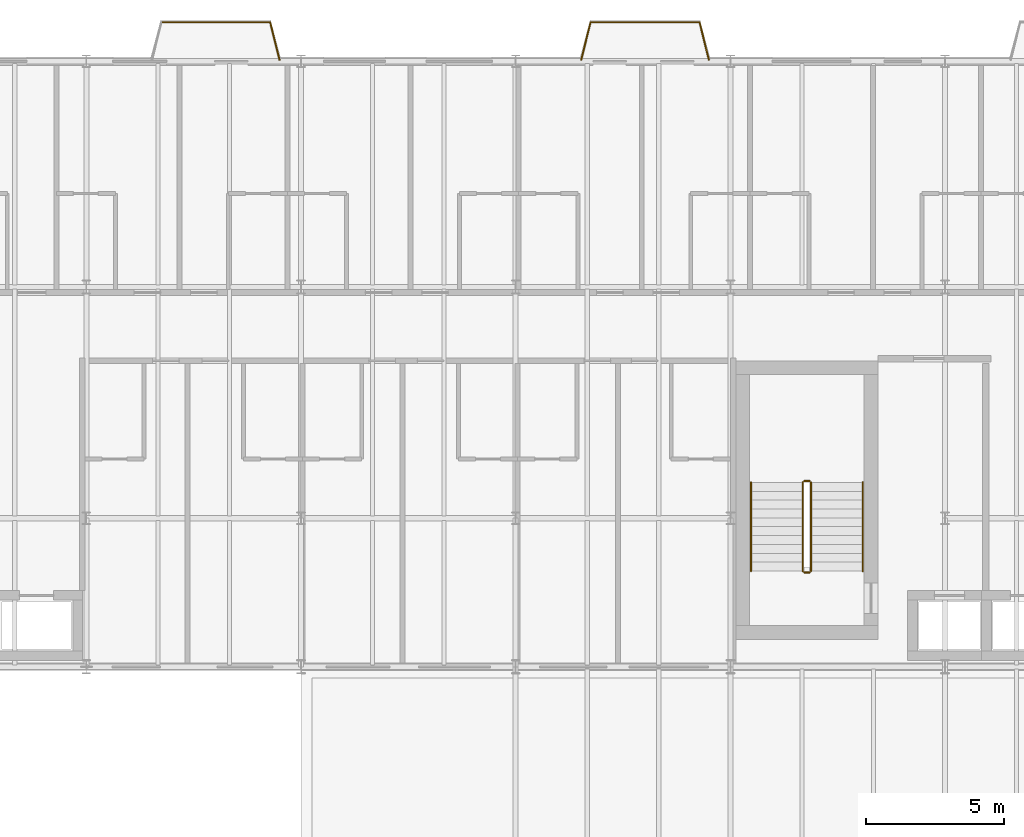
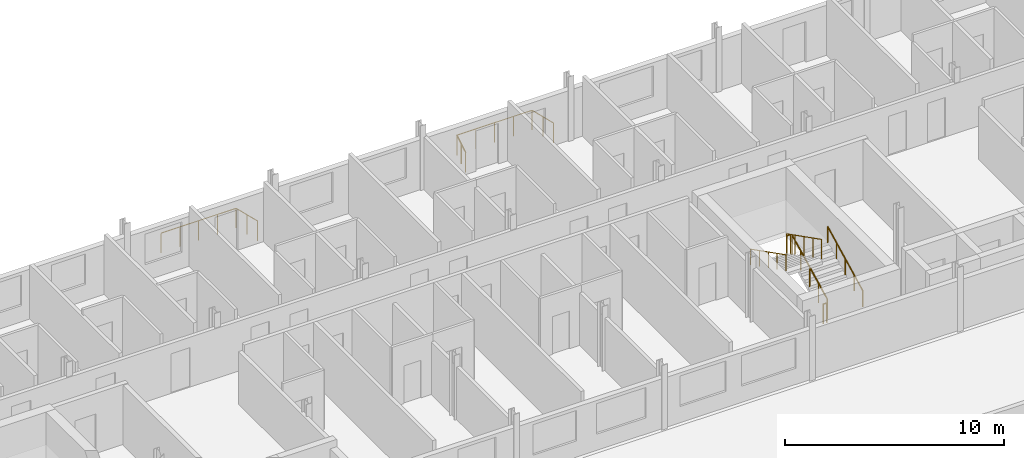
# One storey, part 35 of 36: 11 railings.
"""IFC4 building model written with IfcOpenShell, lengths in metres."""

import ifcopenshell
import ifcopenshell.guid

model = None  # the IFC model being written
_history = None  # IfcOwnerHistory: only IFC2X3 demands one
_inside = {}  # id of a spatial element -> (the spatial element, [elements in it])
_under = {}  # id of a project, library or spatial element -> (it, [spatial elements below it])
_declared = {}  # id of a project -> (the project, [libraries it declares])
_typed = {}  # id of a type object -> (the type object, [elements of that type])
_made_of = {}  # id of a material, layer set ... -> (it, [elements and type objects made of it])


def new_model(schema):
    """Start an empty IFC model of exactly this schema.

    Asked for "IFC4X3", IfcOpenShell would pick the latest addendum, in which some entities
    have other attributes; the version numbers below select the first issue.
    IFC2X3 requires an IfcOwnerHistory on every rooted entity: one is made here for all.
    """
    global model, _history
    if schema == "IFC4X3":
        model = ifcopenshell.file(schema_version=(4, 3, 0, 0))
    else:
        model = ifcopenshell.file(schema=schema)
    _inside.clear()
    _under.clear()
    _declared.clear()
    _typed.clear()
    _made_of.clear()
    _history = None
    if model.schema == "IFC2X3":
        org = make("IfcOrganization", Name="unknown")
        user = make(
            "IfcPersonAndOrganization",
            ThePerson=make("IfcPerson", FamilyName="unknown"),
            TheOrganization=org,
        )
        app = make(
            "IfcApplication",
            ApplicationDeveloper=org,
            Version="unknown",
            ApplicationFullName="unknown",
            ApplicationIdentifier="unknown",
        )
        _history = make(
            "IfcOwnerHistory",
            OwningUser=user,
            OwningApplication=app,
            ChangeAction="ADDED",
            CreationDate=0,
        )
    return model


def make(cls, **values):
    """One entity of the class cls with the attributes given. An attribute that is None is left unset."""
    return model.create_entity(
        cls, **{name: value for name, value in values.items() if value is not None}
    )


def rooted(cls, **values):
    """An entity with a GlobalId (a new one), such as an element, a storey or a relation."""
    return make(cls, GlobalId=ifcopenshell.guid.new(), OwnerHistory=_history, **values)


def si_unit(unit_type, name, prefix=None):
    """IfcSIUnit, for example si_unit("LENGTHUNIT", "METRE", prefix="MILLI")."""
    return make("IfcSIUnit", UnitType=unit_type, Prefix=prefix, Name=name)


def assignment(units):
    """IfcUnitAssignment: the units of a project."""
    return None if units is None else make("IfcUnitAssignment", Units=units)


def point(xyz):
    """IfcCartesianPoint."""
    return None if xyz is None else make("IfcCartesianPoint", Coordinates=xyz)


def direction(xyz):
    """IfcDirection."""
    return None if xyz is None else make("IfcDirection", DirectionRatios=xyz)


def frame(location, z_axis=None, x_axis=None):
    """IfcAxis2Placement3D, a coordinate frame: its origin and axes. An axis left out is left unset."""
    return make(
        "IfcAxis2Placement3D",
        Location=point(location),
        Axis=direction(z_axis),
        RefDirection=direction(x_axis),
    )


def frame_2d(location, x_axis=None):
    """IfcAxis2Placement2D, a coordinate frame in the plane: its origin and x axis."""
    return make(
        "IfcAxis2Placement2D", Location=point(location), RefDirection=direction(x_axis)
    )


def origin():
    """The frame at (0, 0, 0) with its axes left unset."""
    return frame((0.0, 0.0, 0.0))


def origin_2d():
    """The frame at (0, 0) in the plane with its x axis left unset."""
    return frame_2d((0.0, 0.0))


def place(relative_to, where):
    """IfcLocalPlacement: puts the frame where relative to a parent placement (None: the world)."""
    return make(
        "IfcLocalPlacement", PlacementRelTo=relative_to, RelativePlacement=where
    )


def context(
    kind, dimensions, precision=None, world=None, true_north=None, identifier=None
):
    """IfcGeometricRepresentationContext, for example the 3D "Model" context."""
    return make(
        "IfcGeometricRepresentationContext",
        ContextIdentifier=identifier,
        ContextType=kind,
        CoordinateSpaceDimension=dimensions,
        Precision=precision,
        WorldCoordinateSystem=world,
        TrueNorth=true_north,
    )


def subcontext(parent, identifier, kind, view, scale=None):
    """IfcGeometricRepresentationSubContext, for example "Body" below "Model"."""
    return make(
        "IfcGeometricRepresentationSubContext",
        ContextIdentifier=identifier,
        ContextType=kind,
        ParentContext=parent,
        TargetScale=scale,
        TargetView=view,
    )


def project(units=None, contexts=None):
    """IfcProject with its units and contexts."""
    return rooted(
        "IfcProject",
        Name="project",
        RepresentationContexts=contexts,
        UnitsInContext=assignment(units),
    )


def spatial(cls, under=None, at=None, **own):
    """A site, building, storey or space (cls), placed at a placement, below another one or the project."""
    s = rooted(cls, ObjectPlacement=at, **own)
    if under is not None:
        _under.setdefault(under.id(), (under, []))[1].append(s)
    return s


def profile(cls, at=None, kind="AREA", **sizes):
    """A parametric profile (cls). Its sizes go by their IFC names, for example OverallWidth=200.0."""
    return make(cls, ProfileType=kind, Position=at, **sizes)


def circle(**sizes):
    """IfcCircleProfileDef."""
    return profile("IfcCircleProfileDef", **sizes)


def extrude(swept, where, along, depth):
    """IfcExtrudedAreaSolid: the profile swept, set in the frame where, extruded along a direction by depth."""
    return make(
        "IfcExtrudedAreaSolid",
        SweptArea=swept,
        Position=where,
        ExtrudedDirection=direction(along),
        Depth=depth,
    )


def shape(context_of_items, identifier, shape_type, items):
    """IfcShapeRepresentation: the items that make up one representation, for example the "Body"."""
    return make(
        "IfcShapeRepresentation",
        ContextOfItems=context_of_items,
        RepresentationIdentifier=identifier,
        RepresentationType=shape_type,
        Items=items,
    )


def material(Name=None, Category=None):
    """IfcMaterial."""
    return make("IfcMaterial", Name=Name, Category=Category)


def made_of(thing, what):
    """Note that an element or type object is made of a material, layer set ...; save() writes the relation."""
    if what is not None:
        _made_of.setdefault(what.id(), (what, []))[1].append(thing)
    return thing


def type_object(cls, material=None, **own):
    """A type object (cls), such as IfcWallType, which elements share."""
    return made_of(rooted(cls, **own), material)


def element(
    cls,
    number,
    at=None,
    inside=None,
    cuts=None,
    type_object=None,
    material=None,
    context=None,
    identifier="Body",
    shape_type=None,
    held_by="IfcProductDefinitionShape",
    body=None,
    shapes=None,
    **own,
):
    """One element of the class cls, such as IfcWall. Its Tag is "e" and its number.

    at: its placement. inside: the storey or other place that contains it. cuts: it is an
    opening in that element (IfcRelVoidsElement). A single representation is given by context,
    identifier, shape_type and body (its items); several are given by shapes. held_by: the class
    of the entity that holds the representations. save() writes the other relations.
    """
    e = rooted(cls, Tag="e%d" % number, ObjectPlacement=at, **own)
    if body is not None:
        shapes = [shape(context, identifier, shape_type, body)]
    if shapes is not None:
        e.Representation = make(held_by, Representations=shapes)
    if inside is not None:
        _inside.setdefault(inside.id(), (inside, []))[1].append(e)
    if cuts is not None:
        rooted(
            "IfcRelVoidsElement", RelatingBuildingElement=cuts, RelatedOpeningElement=e
        )
    if type_object is not None:
        _typed.setdefault(type_object.id(), (type_object, []))[1].append(e)
    return made_of(e, material)


def aggregate(whole, parts):
    """IfcRelAggregates: a whole, such as a stair, and the parts it consists of."""
    return rooted("IfcRelAggregates", RelatingObject=whole, RelatedObjects=parts)


def save(model, path):
    """Write the relations noted so far, then the file.

    IfcRelAggregates (storeys below a building ...), IfcRelContainedInSpatialStructure (elements
    in a storey), IfcRelDefinesByType, IfcRelAssociatesMaterial and IfcRelDeclares: one each for
    every whole, place, type object, material and project.
    """
    for whole, parts in _under.values():
        aggregate(whole, parts)
    for where, things in _inside.values():
        rooted(
            "IfcRelContainedInSpatialStructure",
            RelatedElements=things,
            RelatingStructure=where,
        )
    for kind, things in _typed.values():
        rooted("IfcRelDefinesByType", RelatedObjects=things, RelatingType=kind)
    for what, things in _made_of.values():
        rooted("IfcRelAssociatesMaterial", RelatedObjects=things, RelatingMaterial=what)
    for by, libraries in _declared.values():
        rooted("IfcRelDeclares", RelatingContext=by, RelatedDefinitions=libraries)
    model.write(path)


model = new_model("IFC4")

# Units and contexts
model_context = context("Model", 3, precision=1e-05, world=origin(), true_north=direction((0.0, 1.0)))
body_context = subcontext(model_context, "Body", "Model", "MODEL_VIEW")
ifc_project = project(units=[si_unit("LENGTHUNIT", "METRE"), si_unit("AREAUNIT", "SQUARE_METRE"), si_unit("VOLUMEUNIT", "CUBIC_METRE"), si_unit("PLANEANGLEUNIT", "RADIAN"), si_unit("MASSUNIT", "GRAM", prefix="KILO")], contexts=[model_context])

# Site, building, storey
site_placement = place(None, origin())
site = spatial("IfcSite", under=ifc_project, at=site_placement, CompositionType="ELEMENT")
building_placement = place(site_placement, origin())
building = spatial("IfcBuilding", under=site, at=building_placement, Name="Sefraquen Railside Congress Hotel", CompositionType="ELEMENT")
storey_placement = place(building_placement, frame((0.0, 0.0, 24.60009765625)))
storey = spatial("IfcBuildingStorey", under=building, at=storey_placement, Name="L05", CompositionType="ELEMENT", Elevation=24.60009765625)

# Railings
ifc_material = material(Name="Patinated wrought architectural bronze", Category="metal")
railing_type_1 = type_object("IfcRailingType", Name="TRL-BAL-110", PredefinedType="BALUSTRADE", material=ifc_material)
railing_1_placement = place(storey_placement, frame((43.52001953125, 119.419921875, 0.0)))
element("IfcRailing", 1, at=railing_1_placement, inside=storey, type_object=railing_type_1, Name="Guest balcony Art Nouveau balustrade L05-02", PredefinedType="BALUSTRADE", context=body_context, shape_type="SweptSolid", body=[
    extrude(circle(Radius=0.02392578125, at=origin_2d()), frame((0.0, 0.0, 1.09619140625), z_axis=(1.0, 0.0, 0.0), x_axis=(0.0, 1.0, 0.0)), (0.0, 0.0, 1.0), 3.9599609375),
    extrude(circle(Radius=0.02099609375, at=origin_2d()), origin(), (0.0, 0.0, 1.0), 1.072021484375),
    extrude(circle(Radius=0.02099609375, at=origin_2d()), frame((0.989990234375, 0.0, 0.0)), (0.0, 0.0, 1.0), 1.072021484375),
    extrude(circle(Radius=0.02099609375, at=origin_2d()), frame((1.97998046875, 0.0, 0.0)), (0.0, 0.0, 1.0), 1.072021484375),
    extrude(circle(Radius=0.02099609375, at=origin_2d()), frame((2.969970703125, 0.0, 0.0)), (0.0, 0.0, 1.0), 1.072021484375),
    extrude(circle(Radius=0.02099609375, at=origin_2d()), frame((3.9599609375, 0.0, 0.0)), (0.0, 0.0, 1.0), 1.072021484375),
])
railing_2_placement = place(storey_placement, frame((47.47998046875, 119.419921875, 0.0)))
element("IfcRailing", 2, at=railing_2_placement, inside=storey, type_object=railing_type_1, Name="Guest balcony Art Nouveau balustrade L05-02", PredefinedType="BALUSTRADE", context=body_context, shape_type="SweptSolid", body=[
    extrude(circle(Radius=0.02392578125, at=origin_2d()), frame((0.0, 0.0, 1.09619140625), z_axis=(0.240948040829, -0.970538016577, 0.0), x_axis=(0.970538016577, 0.240948040829, 0.0)), (0.0, 0.0, 1.0), 1.411376953125),
    extrude(circle(Radius=0.02099609375, at=origin_2d()), origin(), (0.0, 0.0, 1.0), 1.072021484375),
    extrude(circle(Radius=0.02099609375, at=origin_2d()), frame((0.169921875, -0.68505859375, 0.0)), (0.0, 0.0, 1.0), 1.072021484375),
    extrude(circle(Radius=0.02099609375, at=origin_2d()), frame((0.340087890625, -1.369873046875, 0.0)), (0.0, 0.0, 1.0), 1.072021484375),
])
railing_3_placement = place(storey_placement, frame((58.780029296875, 118.050048828125, 0.0)))
element("IfcRailing", 3, at=railing_3_placement, inside=storey, type_object=railing_type_1, Name="Guest balcony Art Nouveau balustrade L05-03", PredefinedType="BALUSTRADE", context=body_context, shape_type="SweptSolid", body=[
    extrude(circle(Radius=0.02392578125, at=origin_2d()), frame((0.0, 0.0, 1.09619140625), z_axis=(0.240948040829, 0.970538016577, 0.0), x_axis=(-0.970538016577, 0.240948040829, 0.0)), (0.0, 0.0, 1.0), 1.411376953125),
    extrude(circle(Radius=0.02099609375, at=origin_2d()), origin(), (0.0, 0.0, 1.0), 1.072021484375),
    extrude(circle(Radius=0.02099609375, at=origin_2d()), frame((0.169921875, 0.68505859375, 0.0)), (0.0, 0.0, 1.0), 1.072021484375),
    extrude(circle(Radius=0.02099609375, at=origin_2d()), frame((0.340087890625, 1.369873046875, 0.0)), (0.0, 0.0, 1.0), 1.072021484375),
])
railing_4_placement = place(storey_placement, frame((59.1201171875, 119.419921875, 0.0)))
element("IfcRailing", 4, at=railing_4_placement, inside=storey, type_object=railing_type_1, Name="Guest balcony Art Nouveau balustrade L05-03", PredefinedType="BALUSTRADE", context=body_context, shape_type="SweptSolid", body=[
    extrude(circle(Radius=0.02392578125, at=origin_2d()), frame((0.0, 0.0, 1.09619140625), z_axis=(1.0, 0.0, 0.0), x_axis=(0.0, 1.0, 0.0)), (0.0, 0.0, 1.0), 3.9599609375),
    extrude(circle(Radius=0.02099609375, at=origin_2d()), origin(), (0.0, 0.0, 1.0), 1.072021484375),
    extrude(circle(Radius=0.02099609375, at=origin_2d()), frame((0.989990234375, 0.0, 0.0)), (0.0, 0.0, 1.0), 1.072021484375),
    extrude(circle(Radius=0.02099609375, at=origin_2d()), frame((1.97998046875, 0.0, 0.0)), (0.0, 0.0, 1.0), 1.072021484375),
    extrude(circle(Radius=0.02099609375, at=origin_2d()), frame((2.969970703125, 0.0, 0.0)), (0.0, 0.0, 1.0), 1.072021484375),
    extrude(circle(Radius=0.02099609375, at=origin_2d()), frame((3.9599609375, 0.0, 0.0)), (0.0, 0.0, 1.0), 1.072021484375),
])
railing_5_placement = place(storey_placement, frame((63.080078125, 119.419921875, 0.0)))
element("IfcRailing", 5, at=railing_5_placement, inside=storey, type_object=railing_type_1, Name="Guest balcony Art Nouveau balustrade L05-03", PredefinedType="BALUSTRADE", context=body_context, shape_type="SweptSolid", body=[
    extrude(circle(Radius=0.02392578125, at=origin_2d()), frame((0.0, 0.0, 1.09619140625), z_axis=(0.240785102022, -0.970578453627, 0.0), x_axis=(0.970578453627, 0.240785102022, 0.0)), (0.0, 0.0, 1.0), 1.411376953125),
    extrude(circle(Radius=0.02099609375, at=origin_2d()), origin(), (0.0, 0.0, 1.0), 1.072021484375),
    extrude(circle(Radius=0.02099609375, at=origin_2d()), frame((0.169921875, -0.68505859375, 0.0)), (0.0, 0.0, 1.0), 1.072021484375),
    extrude(circle(Radius=0.02099609375, at=origin_2d()), frame((0.33984375, -1.369873046875, 0.0)), (0.0, 0.0, 1.0), 1.072021484375),
])
railing_6_placement = place(storey_placement, frame((67.1298828125, 99.47998046875, 0.16357421875)))
element("IfcRailing", 6, at=railing_6_placement, inside=storey, type_object=railing_type_1, Name="L05 ST-H03 stair guard 1", PredefinedType="BALUSTRADE", context=body_context, shape_type="SweptSolid", body=[
    extrude(circle(Radius=0.02392578125, at=origin_2d()), frame((0.0, 0.0, 1.076171875), z_axis=(0.0, 0.89150174374, 0.453017263367), x_axis=(-1.0, 0.0, 0.0)), (0.0, 0.0, 1.0), 3.61181640625),
    extrude(circle(Radius=0.02099609375, at=origin_2d()), origin(), (0.0, 0.0, 1.0), 1.052001953125),
    extrude(circle(Radius=0.02099609375, at=origin_2d()), frame((0.0, 0.804931640625, 0.4091796875)), (0.0, 0.0, 1.0), 1.052001953125),
    extrude(circle(Radius=0.02099609375, at=origin_2d()), frame((0.0, 1.60986328125, 0.818115234375)), (0.0, 0.0, 1.0), 1.052001953125),
    extrude(circle(Radius=0.02099609375, at=origin_2d()), frame((0.0, 2.4150390625, 1.22705078125)), (0.0, 0.0, 1.0), 1.052001953125),
    extrude(circle(Radius=0.02099609375, at=origin_2d()), frame((0.0, 3.219970703125, 1.63623046875)), (0.0, 0.0, 1.0), 1.052001953125),
])
railing_7_placement = place(storey_placement, frame((67.080078125, 102.75, 1.7998046875)))
element("IfcRailing", 7, at=railing_7_placement, inside=storey, type_object=railing_type_1, Name="L05 ST-H03 stair guard 2", PredefinedType="BALUSTRADE", context=body_context, shape_type="SweptSolid", body=[
    extrude(circle(Radius=0.02392578125, at=origin_2d()), frame((0.0, 0.0, 1.076171875), z_axis=(-1.0, 0.0, 0.0), x_axis=(0.0, -1.0, 0.0)), (0.0, 0.0, 1.0), 0.2001953125),
    extrude(circle(Radius=0.02099609375, at=origin_2d()), origin(), (0.0, 0.0, 1.0), 1.052001953125),
    extrude(circle(Radius=0.02099609375, at=origin_2d()), frame((-0.2001953125, 0.0, 0.0)), (0.0, 0.0, 1.0), 1.052001953125),
])
railing_8_placement = place(storey_placement, frame((66.830078125, 102.699951171875, 1.963623046875)))
element("IfcRailing", 8, at=railing_8_placement, inside=storey, type_object=railing_type_1, Name="L05 ST-H03 stair guard 3", PredefinedType="BALUSTRADE", context=body_context, shape_type="SweptSolid", body=[
    extrude(circle(Radius=0.02392578125, at=origin_2d()), frame((0.0, 0.0, 1.076171875), z_axis=(0.0, -0.89150174374, 0.453017263367), x_axis=(1.0, 0.0, 0.0)), (0.0, 0.0, 1.0), 3.61181640625),
    extrude(circle(Radius=0.02099609375, at=origin_2d()), origin(), (0.0, 0.0, 1.0), 1.052001953125),
    extrude(circle(Radius=0.02099609375, at=origin_2d()), frame((0.0, -0.804931640625, 0.4091796875)), (0.0, 0.0, 1.0), 1.052001953125),
    extrude(circle(Radius=0.02099609375, at=origin_2d()), frame((0.0, -1.60986328125, 0.818115234375)), (0.0, 0.0, 1.0), 1.052001953125),
    extrude(circle(Radius=0.02099609375, at=origin_2d()), frame((0.0, -2.4150390625, 1.22705078125)), (0.0, 0.0, 1.0), 1.052001953125),
    extrude(circle(Radius=0.02099609375, at=origin_2d()), frame((0.0, -3.219970703125, 1.63623046875)), (0.0, 0.0, 1.0), 1.052001953125),
])
railing_9_placement = place(storey_placement, frame((67.080078125, 99.429931640625, 0.0)))
element("IfcRailing", 9, at=railing_9_placement, inside=storey, type_object=railing_type_1, Name="L05 ST-H03 stair guard 4", PredefinedType="BALUSTRADE", context=body_context, shape_type="SweptSolid", body=[
    extrude(circle(Radius=0.02392578125, at=origin_2d()), frame((0.0, 0.0, 1.076171875), z_axis=(-1.0, 0.0, 0.0), x_axis=(0.0, -1.0, 0.0)), (0.0, 0.0, 1.0), 0.2001953125),
    extrude(circle(Radius=0.02099609375, at=origin_2d()), origin(), (0.0, 0.0, 1.0), 1.052001953125),
    extrude(circle(Radius=0.02099609375, at=origin_2d()), frame((-0.2001953125, 0.0, 0.0)), (0.0, 0.0, 1.0), 1.052001953125),
])
railing_type_2 = type_object("IfcRailingType", Name="TRL-HR-090", PredefinedType="HANDRAIL", material=ifc_material)
railing_10_placement = place(storey_placement, frame((69.010009765625, 99.47998046875, 0.16357421875)))
element("IfcRailing", 10, at=railing_10_placement, inside=storey, type_object=railing_type_2, Name="L05 ST-H03 stair handrail 1", PredefinedType="HANDRAIL", context=body_context, shape_type="SweptSolid", body=[
    extrude(circle(Radius=0.02392578125, at=origin_2d()), frame((0.0, 0.0, 0.8759765625), z_axis=(0.0, 0.89150174374, 0.453017263367), x_axis=(-1.0, 0.0, 0.0)), (0.0, 0.0, 1.0), 3.61181640625),
    extrude(circle(Radius=0.02099609375, at=origin_2d()), origin(), (0.0, 0.0, 1.0), 0.851806640625),
    extrude(circle(Radius=0.02099609375, at=origin_2d()), frame((0.0, 0.804931640625, 0.4091796875)), (0.0, 0.0, 1.0), 0.851806640625),
    extrude(circle(Radius=0.02099609375, at=origin_2d()), frame((0.0, 1.60986328125, 0.818115234375)), (0.0, 0.0, 1.0), 0.851806640625),
    extrude(circle(Radius=0.02099609375, at=origin_2d()), frame((0.0, 2.4150390625, 1.22705078125)), (0.0, 0.0, 1.0), 0.851806640625),
    extrude(circle(Radius=0.02099609375, at=origin_2d()), frame((0.0, 3.219970703125, 1.63623046875)), (0.0, 0.0, 1.0), 0.851806640625),
])
railing_11_placement = place(storey_placement, frame((64.949951171875, 102.699951171875, 1.963623046875)))
element("IfcRailing", 11, at=railing_11_placement, inside=storey, type_object=railing_type_2, Name="L05 ST-H03 stair handrail 2", PredefinedType="HANDRAIL", context=body_context, shape_type="SweptSolid", body=[
    extrude(circle(Radius=0.02392578125, at=origin_2d()), frame((0.0, 0.0, 0.8759765625), z_axis=(0.0, -0.89150174374, 0.453017263367), x_axis=(1.0, 0.0, 0.0)), (0.0, 0.0, 1.0), 3.61181640625),
    extrude(circle(Radius=0.02099609375, at=origin_2d()), origin(), (0.0, 0.0, 1.0), 0.851806640625),
    extrude(circle(Radius=0.02099609375, at=origin_2d()), frame((0.0, -0.804931640625, 0.4091796875)), (0.0, 0.0, 1.0), 0.851806640625),
    extrude(circle(Radius=0.02099609375, at=origin_2d()), frame((0.0, -1.60986328125, 0.818115234375)), (0.0, 0.0, 1.0), 0.851806640625),
    extrude(circle(Radius=0.02099609375, at=origin_2d()), frame((0.0, -2.4150390625, 1.22705078125)), (0.0, 0.0, 1.0), 0.851806640625),
    extrude(circle(Radius=0.02099609375, at=origin_2d()), frame((0.0, -3.219970703125, 1.63623046875)), (0.0, 0.0, 1.0), 0.851806640625),
])

save(model, "model.ifc")
